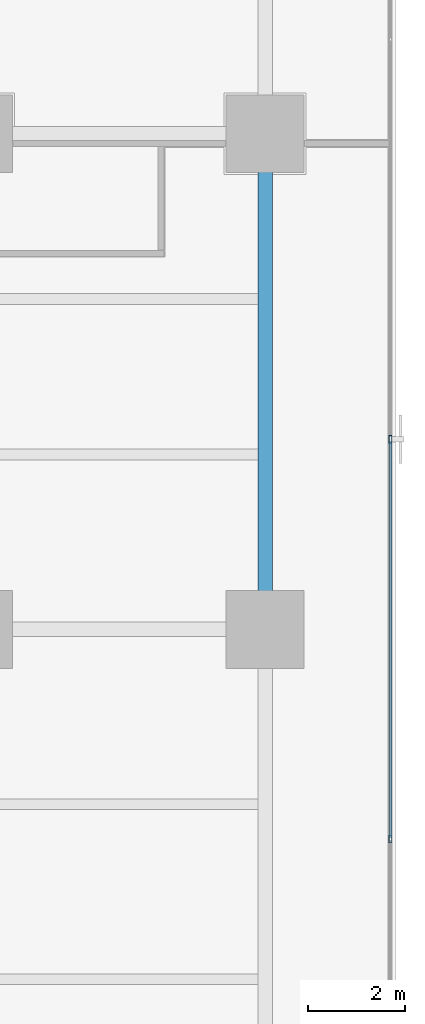
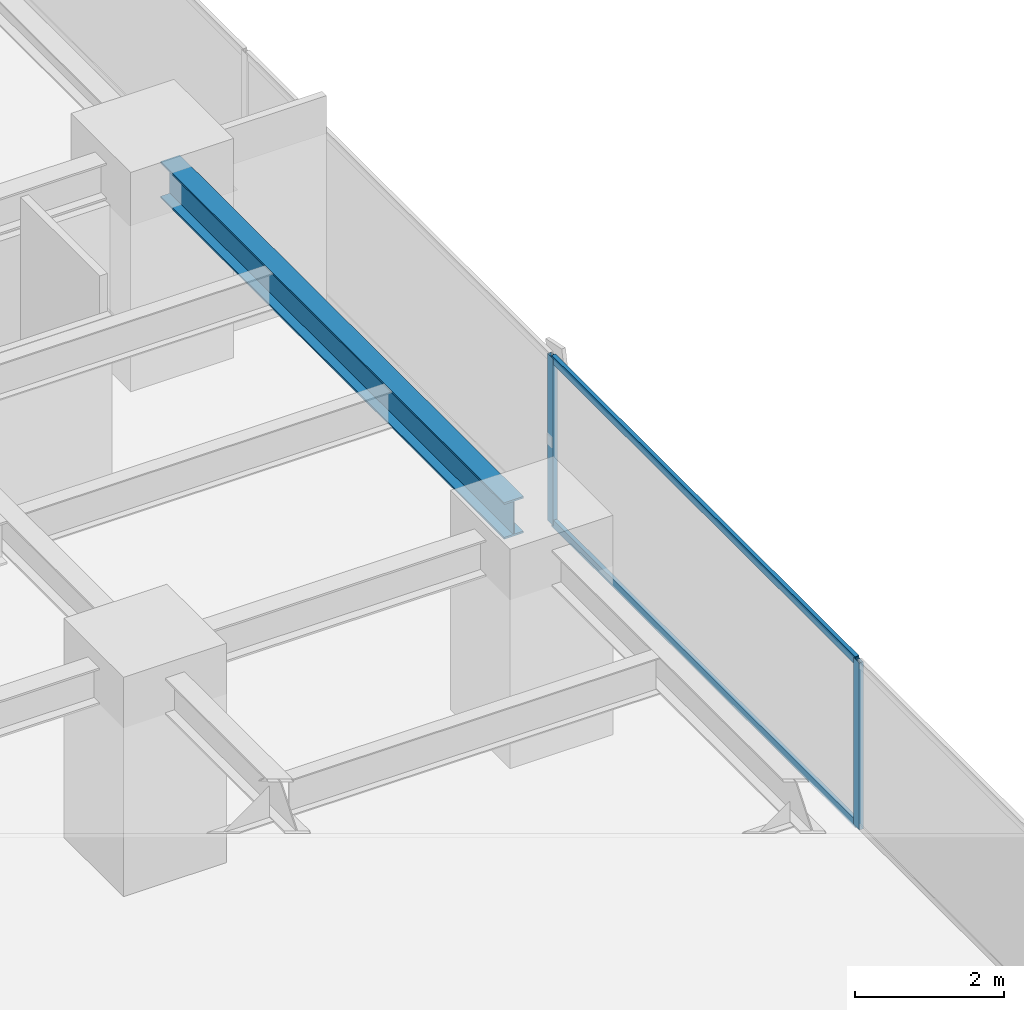
# One storey, part 16 of 36: 4 members, 1 beam, 1 element without a shape of its own.
"""IFC4 building model written with IfcOpenShell, lengths in metres."""

from ifc_helpers import new_model, si_unit, direction, frame, origin, origin_2d, place, context, subcontext, project, spatial, hollow_rectangle, i_section, extrude, source, transform, mapped, material, layer, layer_set, material_profile, profile_set, type_object, element, aggregate, save


model = new_model("IFC4")

# Units and contexts
model_context = context("Model", 3, precision=1e-05, world=origin(), true_north=direction((0.0, 1.0)))
body_context = subcontext(model_context, "Body", "Model", "MODEL_VIEW")
ifc_project = project(units=[si_unit("LENGTHUNIT", "METRE"), si_unit("AREAUNIT", "SQUARE_METRE"), si_unit("VOLUMEUNIT", "CUBIC_METRE"), si_unit("PLANEANGLEUNIT", "RADIAN"), si_unit("MASSUNIT", "GRAM", prefix="KILO")], contexts=[model_context])

# Site, building, storey
site_placement = place(None, origin())
site = spatial("IfcSite", under=ifc_project, at=site_placement, CompositionType="ELEMENT")
building_placement = place(site_placement, origin())
building = spatial("IfcBuilding", under=site, at=building_placement, Name="Sumidabori Civic Tower", CompositionType="ELEMENT")
storey_placement = place(building_placement, frame((0.0, 0.0, 84.800048828125)))
storey = spatial("IfcBuildingStorey", under=building, at=storey_placement, Name="L21", CompositionType="ELEMENT", Elevation=84.800048828125)

# Beam
ifc_material_1 = material(Name="Steel SN490", Category="steel")
ifc_material_profile_1 = material_profile(ifc_material_1, i_section(OverallWidth=0.300048828125, OverallDepth=0.60009765625, WebThickness=0.015380859375, FlangeThickness=0.030029296875, at=origin_2d()), Name="HE 600 B")
ifc_profile_set_1 = profile_set([ifc_material_profile_1], Name="Steel SN490")
beam_type = type_object("IfcBeamType", Name="BM-GIRD-600", PredefinedType="BEAM", material=ifc_profile_set_1)
shared_shape_1 = source(origin(), body_context, "Body", "SweptSolid", [
    extrude(i_section(OverallWidth=0.300048828125, OverallDepth=0.60009765625, WebThickness=0.015380859375, FlangeThickness=0.030029296875, at=origin_2d()), origin(), (0.0, 0.0, 1.0), 9.239990234375),
])
beam_placement = place(storey_placement, frame((22.800048828125, 0.47998046875, 3.06005859375), z_axis=(0.0, 1.0, 0.0), x_axis=(-1.0, 0.0, 0.0)))
element("IfcBeam", 1, at=beam_placement, inside=storey, type_object=beam_type, Name="Primary Girder L21 GY-41", PredefinedType="BEAM", context=body_context, shape_type="MappedRepresentation", body=[
    mapped(shared_shape_1, transform((0.0, 0.0, 0.0), x_axis=(1.0, 0.0, 0.0), y_axis=(0.0, 1.0, 0.0), z_axis=(0.0, 0.0, 1.0), scale=1.0)),
])

# Curtain wall, members
ifc_material_2 = material(Name="Anodised Bronze Aluminium AW-6063-T6", Category="aluminium")
ifc_layer = layer(ifc_material_2, 0.179931640625, Name="Anodised Bronze Aluminium AW-6063-T6")
ifc_layer_set = layer_set([ifc_layer], Name="Anodised Bronze Aluminium AW-6063-T6")
curtain_wall_type = type_object("IfcCurtainWallType", Name="CW-SYS-3", PredefinedType="NOTDEFINED", material=ifc_layer_set)
curtain_wall_placement = place(storey_placement, origin())
curtain_wall = element("IfcCurtainWall", 2, at=curtain_wall_placement, inside=storey, type_object=curtain_wall_type, Name="Curtain Wall CW:L21:R04", PredefinedType="NOTDEFINED")
ifc_material_profile_2 = material_profile(ifc_material_2, hollow_rectangle(XDim=0.06494140625, YDim=0.159912109375, WallThickness=0.0048828125, at=origin_2d()), Name="ALU MULLION 160x65")
ifc_profile_set_2 = profile_set([ifc_material_profile_2], Name="Anodised Bronze Aluminium AW-6063-T6")
member_type_1 = type_object("IfcMemberType", Name="CW-MUL-160", PredefinedType="MULLION", material=ifc_profile_set_2)
shared_shape_2 = source(origin(), body_context, "Body", "SweptSolid", [
    extrude(hollow_rectangle(XDim=0.06494140625, YDim=0.159912109375, WallThickness=0.0048828125, at=origin_2d()), origin(), (0.0, 0.0, 1.0), 2.739990234375),
])
member_1_placement = place(storey_placement, frame((25.3798828125, -4.31396484375, 0.0), z_axis=(0.0, 0.0, 1.0), x_axis=(-1.0, 0.0, 0.0)))
member_1 = element("IfcMember", 3, at=member_1_placement, type_object=member_type_1, Name="CW-3 mullion 3", PredefinedType="MULLION", context=body_context, shape_type="MappedRepresentation", body=[
    mapped(shared_shape_2, transform((0.0, 0.0, 0.0), x_axis=(1.0, 0.0, 0.0), y_axis=(0.0, 1.0, 0.0), z_axis=(0.0, 0.0, 1.0), scale=1.0)),
])
member_2_placement = place(storey_placement, frame((25.3798828125, 3.9140625, 0.0), z_axis=(0.0, 0.0, 1.0), x_axis=(-1.0, 0.0, 0.0)))
member_2 = element("IfcMember", 4, at=member_2_placement, type_object=member_type_1, Name="CW-3 mullion 4", PredefinedType="MULLION", context=body_context, shape_type="MappedRepresentation", body=[
    mapped(shared_shape_2, transform((0.0, 0.0, 0.0), x_axis=(1.0, 0.0, 0.0), y_axis=(0.0, 1.0, 0.0), z_axis=(0.0, 0.0, 1.0), scale=1.0)),
])
ifc_material_profile_3 = material_profile(ifc_material_2, hollow_rectangle(XDim=0.06005859375, YDim=0.1298828125, WallThickness=0.0048828125, at=origin_2d()), Name="ALU TRANSOM 130x60")
ifc_profile_set_3 = profile_set([ifc_material_profile_3], Name="Anodised Bronze Aluminium AW-6063-T6")
member_type_2 = type_object("IfcMemberType", Name="CW-TRN-130", PredefinedType="USERDEFINED", material=ifc_profile_set_3)
shared_shape_3 = source(origin(), body_context, "Body", "SweptSolid", [
    extrude(hollow_rectangle(XDim=0.06005859375, YDim=0.1298828125, WallThickness=0.0048828125, at=origin_2d()), origin(), (0.0, 0.0, 1.0), 8.1630859375),
])
member_3_placement = place(storey_placement, frame((25.3798828125, -4.281494140625, 0.030029296875), z_axis=(0.0, 1.0, 0.0), x_axis=(-1.0, 0.0, 0.0)))
member_3 = element("IfcMember", 5, at=member_3_placement, type_object=member_type_2, Name="CW-3 transom 3.1", ObjectType="TRANSOM", PredefinedType="USERDEFINED", context=body_context, shape_type="MappedRepresentation", body=[
    mapped(shared_shape_3, transform((0.0, 0.0, 0.0), x_axis=(1.0, 0.0, 0.0), y_axis=(0.0, 1.0, 0.0), z_axis=(0.0, 0.0, 1.0), scale=1.0)),
])
member_4_placement = place(storey_placement, frame((25.3798828125, -4.281494140625, 2.7099609375), z_axis=(0.0, 1.0, 0.0), x_axis=(-1.0, 0.0, 0.0)))
member_4 = element("IfcMember", 6, at=member_4_placement, type_object=member_type_2, Name="CW-3 transom 3.2", ObjectType="TRANSOM", PredefinedType="USERDEFINED", context=body_context, shape_type="MappedRepresentation", body=[
    mapped(shared_shape_3, transform((0.0, 0.0, 0.0), x_axis=(1.0, 0.0, 0.0), y_axis=(0.0, 1.0, 0.0), z_axis=(0.0, 0.0, 1.0), scale=1.0)),
])
aggregate(curtain_wall, [member_1, member_2, member_3, member_4])

save(model, "model.ifc")
